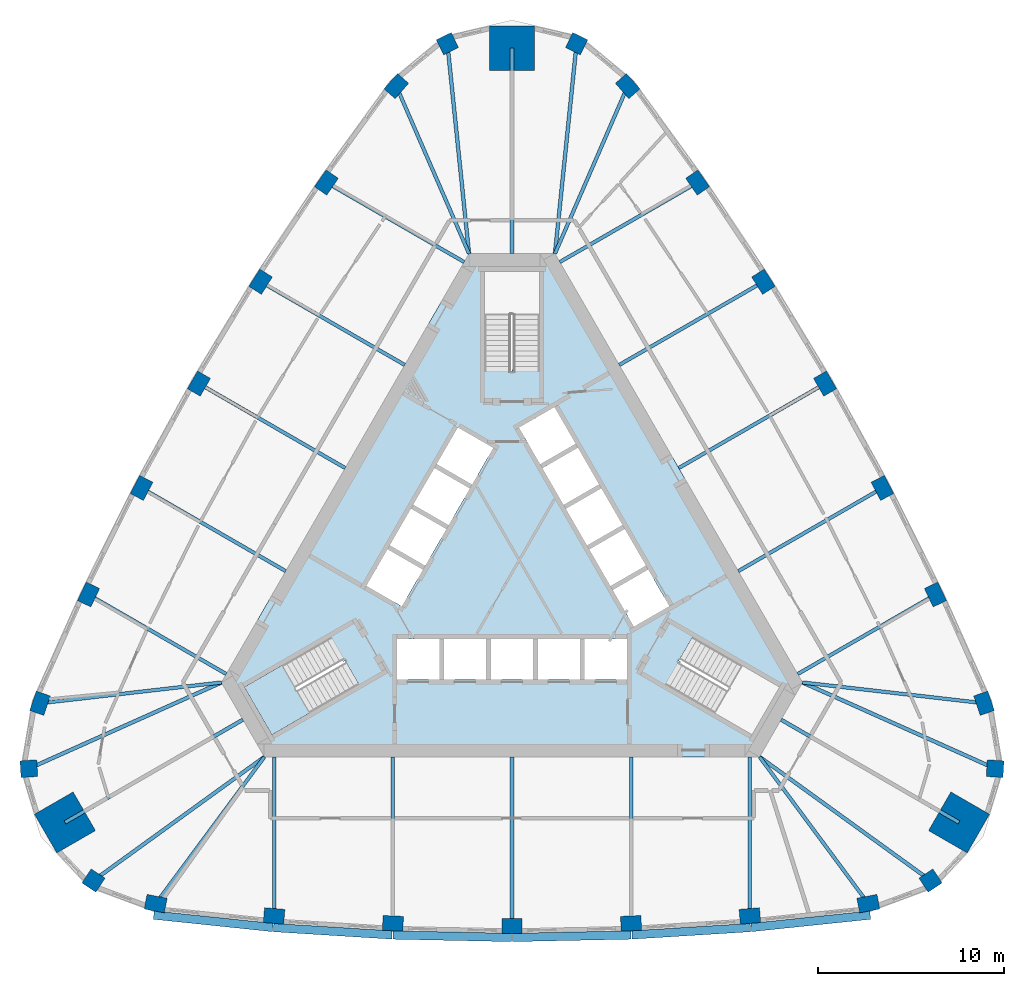
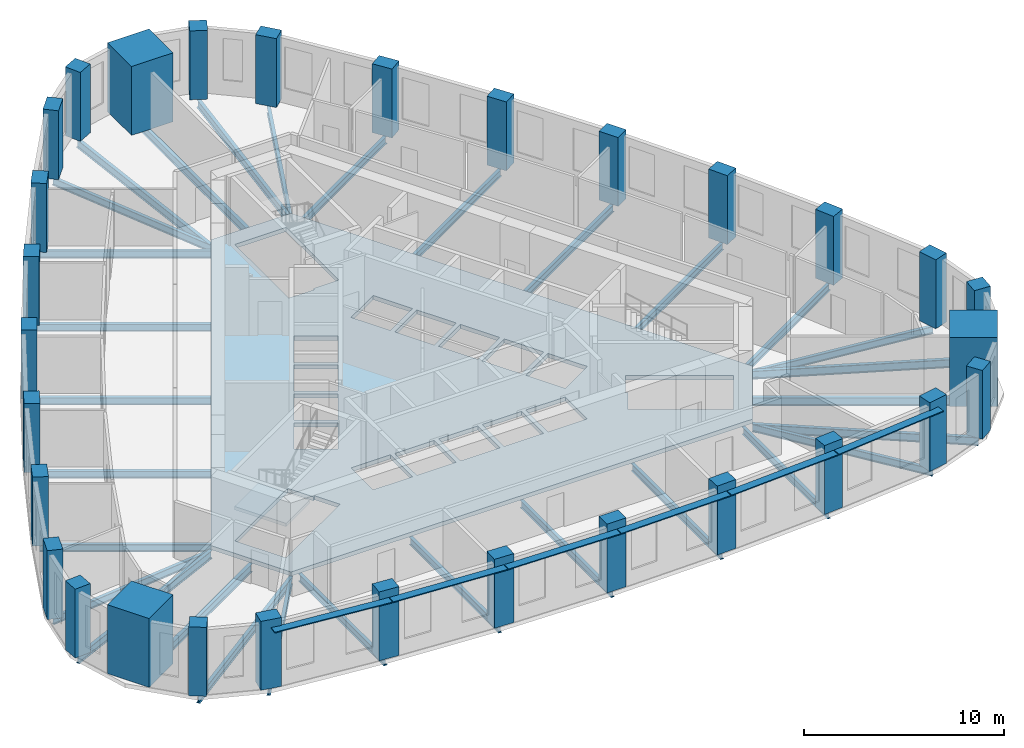
# One storey, part 1 of 11: 30 beams, 30 columns, 6 members, 2 slabs, 1 element without a shape of its own.
"""IFC4 building model written with IfcOpenShell, lengths in metres."""

from ifc_helpers import new_model, si_unit, direction, frame, origin, origin_2d, place, context, subcontext, project, spatial, polyline, rectangle, i_section, outline, extrude, material, layer, layer_set, material_profile, profile_set, type_object, element, aggregate, save


model = new_model("IFC4")

# Units and contexts
model_context = context("Model", 3, precision=1e-05, world=origin(), true_north=direction((0.0, 1.0)))
body_context = subcontext(model_context, "Body", "Model", "MODEL_VIEW")
ifc_project = project(units=[si_unit("LENGTHUNIT", "METRE"), si_unit("AREAUNIT", "SQUARE_METRE"), si_unit("VOLUMEUNIT", "CUBIC_METRE"), si_unit("PLANEANGLEUNIT", "RADIAN"), si_unit("MASSUNIT", "GRAM", prefix="KILO")], contexts=[model_context])

# Site, building, storey
site_placement = place(None, origin())
site = spatial("IfcSite", under=ifc_project, at=site_placement, CompositionType="ELEMENT")
building_placement = place(site_placement, origin())
building = spatial("IfcBuilding", under=site, at=building_placement, Name="Mestral Congress Tower", CompositionType="ELEMENT")
storey_placement = place(building_placement, frame((0.0, 0.0, 201.60009765625)))
storey = spatial("IfcBuildingStorey", under=building, at=storey_placement, Name="L47", CompositionType="ELEMENT", Elevation=201.60009765625)

# Columns
ifc_material_1 = material(Name="Concrete C60/75", Category="concrete")
ifc_material_profile_1 = material_profile(ifc_material_1, rectangle(XDim=1.10009765625, YDim=0.800048828125, at=origin_2d()), Name="RC 1100x800")
ifc_profile_set_1 = profile_set([ifc_material_profile_1], Name="Concrete C60/75")
column_type_1 = type_object("IfcColumnType", Name="Column RC 1100x800 C60/75", PredefinedType="COLUMN", material=ifc_profile_set_1)
for number, where, z_axis, x_axis, name in (
    (1, (-19.150390625, -18.23681640625, 0.0), (0.0, 0.0, 1.0), (0.981324571854, -0.192359259395, 0.0), "COL-L47-C4-S00"),
    (2, (-12.785400390625, -18.899658203125, 0.0), (0.0, 0.0, 1.0), (0.996556680667, -0.082914306473, 0.0), "COL-L47-C4-S01"),
    (3, (-6.398193359375, -19.2978515625, 0.0), (0.0, 0.0, 1.0), (0.999138835542, -0.041492015025, 0.0), "COL-L47-C4-S02"),
    (4, (0.0, -19.4306640625, 0.0), (0.0, 0.0, 1.0), (1.0, 0.0, 0.0), "COL-L47-C4-S03"),
    (5, (6.398193359375, -19.2978515625, 0.0), (0.0, 0.0, 1.0), (0.999138835542, 0.041492015025, 0.0), "COL-L47-C4-S04"),
    (6, (12.785400390625, -18.899658203125, 0.0), (0.0, 0.0, 1.0), (0.996556680667, 0.082914306473, 0.0), "COL-L47-C4-S05"),
    (7, (19.150390625, -18.23681640625, 0.0), (0.0, 0.0, 1.0), (0.981324571854, 0.192359259395, 0.0), "COL-L47-C4-S06"),
    (8, (25.368896484375, -7.46630859375, 0.0), (0.0, 0.0, 1.0), (-0.324074280638, 0.946031638281, 0.0), "COL-L47-C4-E00"),
    (9, (22.76025390625, -1.62255859375, 0.0), (0.0, 0.0, 1.0), (-0.426472444591, 0.904500555005, 0.0), "COL-L47-C4-E01"),
    (10, (19.91162109375, 4.10791015625, 0.0), (0.0, 0.0, 1.0), (-0.463636278705, 0.886025621, 0.0), "COL-L47-C4-E02"),
    (11, (16.827392578125, 9.71533203125, 0.0), (0.0, 0.0, 1.0), (-0.5, 0.866025403784, 0.0), "COL-L47-C4-E03"),
    (12, (13.51318359375, 15.18994140625, 0.0), (0.0, 0.0, 1.0), (-0.535502556837, 0.844533605975, 0.0), "COL-L47-C4-E04"),
    (13, (9.974853515625, 20.522216796875, 0.0), (0.0, 0.0, 1.0), (-0.570084236076, 0.821586248532, 0.0), "COL-L47-C4-E05"),
    (14, (6.218505859375, 25.703125, 0.0), (0.0, 0.0, 1.0), (-0.657250291216, 0.753672378886, 0.0), "COL-L47-C4-E06"),
    (15, (-6.218505859375, 25.703125, 0.0), (0.0, 0.0, 1.0), (-0.657250291216, -0.753672378886, 0.0), "COL-L47-C4-W00"),
    (16, (-9.974853515625, 20.522216796875, 0.0), (0.0, 0.0, 1.0), (-0.570084236076, -0.821586248532, 0.0), "COL-L47-C4-W01"),
    (17, (-13.51318359375, 15.18994140625, 0.0), (0.0, 0.0, 1.0), (-0.535502556837, -0.844533605975, 0.0), "COL-L47-C4-W02"),
    (18, (-16.827392578125, 9.71533203125, 0.0), (0.0, 0.0, 1.0), (-0.5, -0.866025403784, 0.0), "COL-L47-C4-W03"),
    (19, (-19.91162109375, 4.10791015625, 0.0), (0.0, 0.0, 1.0), (-0.463636278705, -0.886025621, 0.0), "COL-L47-C4-W04"),
    (20, (-22.76025390625, -1.62255859375, 0.0), (0.0, 0.0, 1.0), (-0.426472444591, -0.904500555005, 0.0), "COL-L47-C4-W05"),
    (21, (-25.368896484375, -7.46630859375, 0.0), (0.0, 0.0, 1.0), (-0.324074280638, -0.946031638281, 0.0), "COL-L47-C4-W06"),
):
    element("IfcColumn", number, at=place(storey_placement, frame(where, z_axis=z_axis, x_axis=x_axis)), inside=storey, type_object=column_type_1, Name=name, PredefinedType="COLUMN", context=body_context, shape_type="SweptSolid", body=[
        extrude(rectangle(XDim=1.10009765625, YDim=0.800048828125, at=origin_2d()), origin(), (0.0, 0.0, 1.0), 4.199951171875),
    ])
ifc_material_profile_2 = material_profile(ifc_material_1, rectangle(XDim=0.89990234375, YDim=0.89990234375, at=origin_2d()), Name="RC 900x900")
ifc_profile_set_2 = profile_set([ifc_material_profile_2], Name="Concrete C60/75")
column_type_2 = type_object("IfcColumnType", Name="Column RC 900x900 C60/75", PredefinedType="COLUMN", material=ifc_profile_set_2)
for number, where, z_axis, x_axis, name in (
    (22, (22.494384765625, -16.99658203125, 0.0), (0.0, 0.0, 1.0), (0.833238868178, 0.552913183563, 0.0), "COL-L47-C4-SE1"),
    (23, (25.966552734375, -10.982421875, 0.0), (0.0, 0.0, 1.0), (0.062217428964, 0.998062619044, 0.0), "COL-L47-C4-SE3"),
    (24, (3.47216796875, 27.97900390625, 0.0), (0.0, 0.0, 1.0), (-0.895456297142, 0.445149435481, 0.0), "COL-L47-C4-N1"),
    (25, (-3.47216796875, 27.97900390625, 0.0), (0.0, 0.0, 1.0), (-0.895456297142, -0.445149435481, 0.0), "COL-L47-C4-N3"),
    (26, (-25.966552734375, -10.982421875, 0.0), (0.0, 0.0, 1.0), (0.062217428964, -0.998062619044, 0.0), "COL-L47-C4-SW1"),
    (27, (-22.494384765625, -16.99658203125, 0.0), (0.0, 0.0, 1.0), (0.833238868178, -0.552913183563, 0.0), "COL-L47-C4-SW3"),
):
    element("IfcColumn", number, at=place(storey_placement, frame(where, z_axis=z_axis, x_axis=x_axis)), inside=storey, type_object=column_type_2, Name=name, PredefinedType="COLUMN", context=body_context, shape_type="SweptSolid", body=[
        extrude(rectangle(XDim=0.89990234375, YDim=0.89990234375, at=origin_2d()), origin(), (0.0, 0.0, 1.0), 4.199951171875),
    ])
ifc_material_2 = material(Name="Concrete C70/85", Category="concrete")
ifc_material_profile_3 = material_profile(ifc_material_2, rectangle(XDim=2.39990234375, YDim=2.39990234375, at=origin_2d()), Name="RC 2400x2400")
ifc_profile_set_3 = profile_set([ifc_material_profile_3], Name="Concrete C70/85")
column_type_3 = type_object("IfcColumnType", Name="Mega column RC 2400x2400 C70/85", PredefinedType="COLUMN", material=ifc_profile_set_3)
for number, where, z_axis, x_axis, name in (
    (28, (24.02734375, -13.872314453125, 0.0), (0.0, 0.0, 1.0), (0.866025403784, -0.5, 0.0), "COL-L47-PY4-SE"),
    (29, (0.0, 27.744384765625, 0.0), (0.0, 0.0, 1.0), (0.0, 1.0, 0.0), "COL-L47-PY4-N"),
    (30, (-24.02734375, -13.872314453125, 0.0), (0.0, 0.0, 1.0), (-0.866025403784, -0.5, 0.0), "COL-L47-PY4-SW"),
):
    element("IfcColumn", number, at=place(storey_placement, frame(where, z_axis=z_axis, x_axis=x_axis)), inside=storey, type_object=column_type_3, Name=name, PredefinedType="COLUMN", context=body_context, shape_type="SweptSolid", body=[
        extrude(rectangle(XDim=2.39990234375, YDim=2.39990234375, at=origin_2d()), origin(), (0.0, 0.0, 1.0), 4.199951171875),
    ])

# Members
ifc_material_3 = material(Name="Glazed ceramic", Category="masonry")
ifc_material_profile_4 = material_profile(ifc_material_3, rectangle(XDim=0.449951171875, YDim=0.06005859375, at=origin_2d()), Name="Ceramic blade 450 x 60")
ifc_profile_set_4 = profile_set([ifc_material_profile_4], Name="Glazed ceramic")
member_type = type_object("IfcMemberType", Name="Facade sunshade blade 450 x 60", PredefinedType="USERDEFINED", material=ifc_profile_set_4)
member_1_placement = place(storey_placement, frame((-19.251708984375, -18.8544921875, 3.679931640625), z_axis=(0.994617919471, -0.103610782581, 0.0), x_axis=(0.103610782581, 0.994617919471, 0.0)))
element("IfcMember", 31, at=member_1_placement, inside=storey, type_object=member_type, Name="Sunshade F0-00", ObjectType="SUNSHADE", PredefinedType="USERDEFINED", context=body_context, shape_type="SweptSolid", body=[
    extrude(rectangle(XDim=0.449951171875, YDim=0.06005859375, at=origin_2d()), origin(), (0.0, 0.0, 1.0), 6.42578125),
])
member_2_placement = place(storey_placement, frame((-12.8134765625, -19.524169921875, 3.679931640625), z_axis=(0.99806373271, -0.062199561482, 0.0), x_axis=(0.062199561482, 0.99806373271, 0.0)))
element("IfcMember", 32, at=member_2_placement, inside=storey, type_object=member_type, Name="Sunshade F0-01", ObjectType="SUNSHADE", PredefinedType="USERDEFINED", context=body_context, shape_type="SweptSolid", body=[
    extrude(rectangle(XDim=0.449951171875, YDim=0.06005859375, at=origin_2d()), origin(), (0.0, 0.0, 1.0), 6.37841796875),
])
for number, where, z_axis, x_axis, name in (
    (33, (-6.400390625, -19.9228515625, 3.679931640625), (0.99978476383, -0.0207467109, 0.0), (0.0207467109, 0.99978476383, 0.0), "Sunshade F0-02"),
    (34, (0.023681640625, -20.05517578125, 3.679931640625), (0.99978476383, 0.0207467109, 0.0), (-0.0207467109, 0.99978476383, 0.0), "Sunshade F0-03"),
):
    element("IfcMember", number, at=place(storey_placement, frame(where, z_axis=z_axis, x_axis=x_axis)), inside=storey, type_object=member_type, Name=name, ObjectType="SUNSHADE", PredefinedType="USERDEFINED", context=body_context, shape_type="SweptSolid", body=[
        extrude(rectangle(XDim=0.449951171875, YDim=0.06005859375, at=origin_2d()), origin(), (0.0, 0.0, 1.0), 6.378173828125),
    ])
member_3_placement = place(storey_placement, frame((6.447509765625, -19.9208984375, 3.679931640625), z_axis=(0.99806373271, 0.062199561482, 0.0), x_axis=(-0.062199561482, 0.99806373271, 0.0)))
element("IfcMember", 35, at=member_3_placement, inside=storey, type_object=member_type, Name="Sunshade F0-04", ObjectType="SUNSHADE", PredefinedType="USERDEFINED", context=body_context, shape_type="SweptSolid", body=[
    extrude(rectangle(XDim=0.449951171875, YDim=0.06005859375, at=origin_2d()), origin(), (0.0, 0.0, 1.0), 6.37841796875),
])
member_4_placement = place(storey_placement, frame((12.860595703125, -19.520263671875, 3.679931640625), z_axis=(0.994617919471, 0.103610782581, 0.0), x_axis=(-0.103610782581, 0.994617919471, 0.0)))
element("IfcMember", 36, at=member_4_placement, inside=storey, type_object=member_type, Name="Sunshade F0-05", ObjectType="SUNSHADE", PredefinedType="USERDEFINED", context=body_context, shape_type="SweptSolid", body=[
    extrude(rectangle(XDim=0.449951171875, YDim=0.06005859375, at=origin_2d()), origin(), (0.0, 0.0, 1.0), 6.42578125),
])

# Beams
ifc_material_4 = material(Name="Steel S355", Category="steel")
ifc_material_profile_5 = material_profile(ifc_material_4, i_section(OverallWidth=0.18994140625, OverallDepth=0.449951171875, WebThickness=0.009521484375, FlangeThickness=0.0146484375, FilletRadius=0.02099609375, at=origin_2d()), Name="IPE 450")
ifc_profile_set_5 = profile_set([ifc_material_profile_5], Name="Steel S355")
beam_type_1 = type_object("IfcBeamType", Name="Floor beam IPE 450 S355", PredefinedType="BEAM", material=ifc_profile_set_5)
beam_1_placement = place(storey_placement, frame((-19.150390625, -18.23681640625, -0.47509765625), z_axis=(0.59526145727, 0.803532076204, 0.0), x_axis=(-0.803532076204, 0.59526145727, 0.0)))
element("IfcBeam", 37, at=beam_1_placement, inside=storey, type_object=beam_type_1, Name="BM-L47-RB4-S00", PredefinedType="BEAM", context=body_context, shape_type="SweptSolid", body=[
    extrude(i_section(OverallWidth=0.18994140625, OverallDepth=0.449951171875, WebThickness=0.009521484375, FlangeThickness=0.0146484375, FilletRadius=0.02099609375, at=origin_2d()), origin(), (0.0, 0.0, 1.0), 9.815185546875),
])
beam_2_placement = place(storey_placement, frame((-12.785400390625, -18.899658203125, -0.47509765625), z_axis=(0.0, 1.0, 0.0), x_axis=(-1.0, 0.0, 0.0)))
element("IfcBeam", 38, at=beam_2_placement, inside=storey, type_object=beam_type_1, Name="BM-L47-RB4-S01", PredefinedType="BEAM", context=body_context, shape_type="SweptSolid", body=[
    extrude(i_section(OverallWidth=0.18994140625, OverallDepth=0.449951171875, WebThickness=0.009521484375, FlangeThickness=0.0146484375, FilletRadius=0.02099609375, at=origin_2d()), origin(), (0.0, 0.0, 1.0), 8.549560546875),
])
beam_3_placement = place(storey_placement, frame((-6.398193359375, -19.2978515625, -0.47509765625), z_axis=(0.0, 1.0, 0.0), x_axis=(-1.0, 0.0, 0.0)))
element("IfcBeam", 39, at=beam_3_placement, inside=storey, type_object=beam_type_1, Name="BM-L47-RB4-S02", PredefinedType="BEAM", context=body_context, shape_type="SweptSolid", body=[
    extrude(i_section(OverallWidth=0.18994140625, OverallDepth=0.449951171875, WebThickness=0.009521484375, FlangeThickness=0.0146484375, FilletRadius=0.02099609375, at=origin_2d()), origin(), (0.0, 0.0, 1.0), 8.94775390625),
])
beam_4_placement = place(storey_placement, frame((0.0, -19.4306640625, -0.47509765625), z_axis=(0.0, 1.0, 0.0), x_axis=(-1.0, 0.0, 0.0)))
element("IfcBeam", 40, at=beam_4_placement, inside=storey, type_object=beam_type_1, Name="BM-L47-RB4-S03", PredefinedType="BEAM", context=body_context, shape_type="SweptSolid", body=[
    extrude(i_section(OverallWidth=0.18994140625, OverallDepth=0.449951171875, WebThickness=0.009521484375, FlangeThickness=0.0146484375, FilletRadius=0.02099609375, at=origin_2d()), origin(), (0.0, 0.0, 1.0), 9.08056640625),
])
beam_5_placement = place(storey_placement, frame((6.398193359375, -19.2978515625, -0.47509765625), z_axis=(0.0, 1.0, 0.0), x_axis=(-1.0, 0.0, 0.0)))
element("IfcBeam", 41, at=beam_5_placement, inside=storey, type_object=beam_type_1, Name="BM-L47-RB4-S04", PredefinedType="BEAM", context=body_context, shape_type="SweptSolid", body=[
    extrude(i_section(OverallWidth=0.18994140625, OverallDepth=0.449951171875, WebThickness=0.009521484375, FlangeThickness=0.0146484375, FilletRadius=0.02099609375, at=origin_2d()), origin(), (0.0, 0.0, 1.0), 8.94775390625),
])
beam_6_placement = place(storey_placement, frame((12.785400390625, -18.899658203125, -0.47509765625), z_axis=(0.0, 1.0, 0.0), x_axis=(-1.0, 0.0, 0.0)))
element("IfcBeam", 42, at=beam_6_placement, inside=storey, type_object=beam_type_1, Name="BM-L47-RB4-S05", PredefinedType="BEAM", context=body_context, shape_type="SweptSolid", body=[
    extrude(i_section(OverallWidth=0.18994140625, OverallDepth=0.449951171875, WebThickness=0.009521484375, FlangeThickness=0.0146484375, FilletRadius=0.02099609375, at=origin_2d()), origin(), (0.0, 0.0, 1.0), 8.549560546875),
])
beam_7_placement = place(storey_placement, frame((19.150390625, -18.23681640625, -0.47509765625), z_axis=(-0.59526145727, 0.803532076204, 0.0), x_axis=(-0.803532076204, -0.59526145727, 0.0)))
element("IfcBeam", 43, at=beam_7_placement, inside=storey, type_object=beam_type_1, Name="BM-L47-RB4-S06", PredefinedType="BEAM", context=body_context, shape_type="SweptSolid", body=[
    extrude(i_section(OverallWidth=0.18994140625, OverallDepth=0.449951171875, WebThickness=0.009521484375, FlangeThickness=0.0146484375, FilletRadius=0.02099609375, at=origin_2d()), origin(), (0.0, 0.0, 1.0), 9.815185546875),
])
beam_8_placement = place(storey_placement, frame((25.368896484375, -7.46630859375, -0.47509765625), z_axis=(-0.993512774848, 0.113720561966, 0.0), x_axis=(-0.113720561966, -0.993512774848, 0.0)))
element("IfcBeam", 44, at=beam_8_placement, inside=storey, type_object=beam_type_1, Name="BM-L47-RB4-E00", PredefinedType="BEAM", context=body_context, shape_type="SweptSolid", body=[
    extrude(i_section(OverallWidth=0.18994140625, OverallDepth=0.449951171875, WebThickness=0.009521484375, FlangeThickness=0.0146484375, FilletRadius=0.02099609375, at=origin_2d()), origin(), (0.0, 0.0, 1.0), 9.8154296875),
])
beam_9_placement = place(storey_placement, frame((22.76025390625, -1.62255859375, -0.47509765625), z_axis=(-0.866023907196, -0.500002592159, 0.0), x_axis=(0.500002592159, -0.866023907196, 0.0)))
element("IfcBeam", 45, at=beam_9_placement, inside=storey, type_object=beam_type_1, Name="BM-L47-RB4-E01", PredefinedType="BEAM", context=body_context, shape_type="SweptSolid", body=[
    extrude(i_section(OverallWidth=0.18994140625, OverallDepth=0.449951171875, WebThickness=0.009521484375, FlangeThickness=0.0146484375, FilletRadius=0.02099609375, at=origin_2d()), origin(), (0.0, 0.0, 1.0), 8.5498046875),
])
beam_10_placement = place(storey_placement, frame((19.91162109375, 4.10791015625, -0.47509765625), z_axis=(-0.866033377201, -0.499986189383, 0.0), x_axis=(0.499986189383, -0.866033377201, 0.0)))
element("IfcBeam", 46, at=beam_10_placement, inside=storey, type_object=beam_type_1, Name="BM-L47-RB4-E02", PredefinedType="BEAM", context=body_context, shape_type="SweptSolid", body=[
    extrude(i_section(OverallWidth=0.18994140625, OverallDepth=0.449951171875, WebThickness=0.009521484375, FlangeThickness=0.0146484375, FilletRadius=0.02099609375, at=origin_2d()), origin(), (0.0, 0.0, 1.0), 8.947998046875),
])
beam_11_placement = place(storey_placement, frame((16.827392578125, 9.71533203125, -0.47509765625), z_axis=(-0.866025747466, -0.499999404726, 0.0), x_axis=(0.499999404726, -0.866025747466, 0.0)))
element("IfcBeam", 47, at=beam_11_placement, inside=storey, type_object=beam_type_1, Name="BM-L47-RB4-E03", PredefinedType="BEAM", context=body_context, shape_type="SweptSolid", body=[
    extrude(i_section(OverallWidth=0.18994140625, OverallDepth=0.449951171875, WebThickness=0.009521484375, FlangeThickness=0.0146484375, FilletRadius=0.02099609375, at=origin_2d()), origin(), (0.0, 0.0, 1.0), 9.08056640625),
])
beam_12_placement = place(storey_placement, frame((13.51318359375, 15.18994140625, -0.47509765625), z_axis=(-0.866026556242, -0.49999800388, 0.0), x_axis=(0.49999800388, -0.866026556242, 0.0)))
element("IfcBeam", 48, at=beam_12_placement, inside=storey, type_object=beam_type_1, Name="BM-L47-RB4-E04", PredefinedType="BEAM", context=body_context, shape_type="SweptSolid", body=[
    extrude(i_section(OverallWidth=0.18994140625, OverallDepth=0.449951171875, WebThickness=0.009521484375, FlangeThickness=0.0146484375, FilletRadius=0.02099609375, at=origin_2d()), origin(), (0.0, 0.0, 1.0), 8.94775390625),
])
beam_13_placement = place(storey_placement, frame((9.974853515625, 20.522216796875, -0.47509765625), z_axis=(-0.866016768042, -0.500014957246, 0.0), x_axis=(0.500014957246, -0.866016768042, 0.0)))
element("IfcBeam", 49, at=beam_13_placement, inside=storey, type_object=beam_type_1, Name="BM-L47-RB4-E05", PredefinedType="BEAM", context=body_context, shape_type="SweptSolid", body=[
    extrude(i_section(OverallWidth=0.18994140625, OverallDepth=0.449951171875, WebThickness=0.009521484375, FlangeThickness=0.0146484375, FilletRadius=0.02099609375, at=origin_2d()), origin(), (0.0, 0.0, 1.0), 8.549560546875),
])
for number, where, z_axis, x_axis, name in (
    (50, (6.218505859375, 25.703125, -0.47509765625), (-0.398276756213, -0.917265297207, 0.0), (0.917265297207, -0.398276756213, 0.0), "BM-L47-RB4-E06"),
    (51, (-6.218505859375, 25.703125, -0.47509765625), (0.398276756213, -0.917265297207, 0.0), (0.917265297207, 0.398276756213, 0.0), "BM-L47-RB4-W00"),
):
    element("IfcBeam", number, at=place(storey_placement, frame(where, z_axis=z_axis, x_axis=x_axis)), inside=storey, type_object=beam_type_1, Name=name, PredefinedType="BEAM", context=body_context, shape_type="SweptSolid", body=[
        extrude(i_section(OverallWidth=0.18994140625, OverallDepth=0.449951171875, WebThickness=0.009521484375, FlangeThickness=0.0146484375, FilletRadius=0.02099609375, at=origin_2d()), origin(), (0.0, 0.0, 1.0), 9.815185546875),
    ])
beam_14_placement = place(storey_placement, frame((-9.974853515625, 20.522216796875, -0.47509765625), z_axis=(0.866016768042, -0.500014957246, 0.0), x_axis=(0.500014957246, 0.866016768042, 0.0)))
element("IfcBeam", 52, at=beam_14_placement, inside=storey, type_object=beam_type_1, Name="BM-L47-RB4-W01", PredefinedType="BEAM", context=body_context, shape_type="SweptSolid", body=[
    extrude(i_section(OverallWidth=0.18994140625, OverallDepth=0.449951171875, WebThickness=0.009521484375, FlangeThickness=0.0146484375, FilletRadius=0.02099609375, at=origin_2d()), origin(), (0.0, 0.0, 1.0), 8.549560546875),
])
beam_15_placement = place(storey_placement, frame((-13.51318359375, 15.18994140625, -0.47509765625), z_axis=(0.866026556242, -0.49999800388, 0.0), x_axis=(0.49999800388, 0.866026556242, 0.0)))
element("IfcBeam", 53, at=beam_15_placement, inside=storey, type_object=beam_type_1, Name="BM-L47-RB4-W02", PredefinedType="BEAM", context=body_context, shape_type="SweptSolid", body=[
    extrude(i_section(OverallWidth=0.18994140625, OverallDepth=0.449951171875, WebThickness=0.009521484375, FlangeThickness=0.0146484375, FilletRadius=0.02099609375, at=origin_2d()), origin(), (0.0, 0.0, 1.0), 8.94775390625),
])
beam_16_placement = place(storey_placement, frame((-16.827392578125, 9.71533203125, -0.47509765625), z_axis=(0.866025747466, -0.499999404726, 0.0), x_axis=(0.499999404726, 0.866025747466, 0.0)))
element("IfcBeam", 54, at=beam_16_placement, inside=storey, type_object=beam_type_1, Name="BM-L47-RB4-W03", PredefinedType="BEAM", context=body_context, shape_type="SweptSolid", body=[
    extrude(i_section(OverallWidth=0.18994140625, OverallDepth=0.449951171875, WebThickness=0.009521484375, FlangeThickness=0.0146484375, FilletRadius=0.02099609375, at=origin_2d()), origin(), (0.0, 0.0, 1.0), 9.08056640625),
])
beam_17_placement = place(storey_placement, frame((-19.91162109375, 4.10791015625, -0.47509765625), z_axis=(0.866033377201, -0.499986189383, 0.0), x_axis=(0.499986189383, 0.866033377201, 0.0)))
element("IfcBeam", 55, at=beam_17_placement, inside=storey, type_object=beam_type_1, Name="BM-L47-RB4-W04", PredefinedType="BEAM", context=body_context, shape_type="SweptSolid", body=[
    extrude(i_section(OverallWidth=0.18994140625, OverallDepth=0.449951171875, WebThickness=0.009521484375, FlangeThickness=0.0146484375, FilletRadius=0.02099609375, at=origin_2d()), origin(), (0.0, 0.0, 1.0), 8.947998046875),
])
beam_18_placement = place(storey_placement, frame((-22.76025390625, -1.62255859375, -0.47509765625), z_axis=(0.866023907196, -0.500002592159, 0.0), x_axis=(0.500002592159, 0.866023907196, 0.0)))
element("IfcBeam", 56, at=beam_18_placement, inside=storey, type_object=beam_type_1, Name="BM-L47-RB4-W05", PredefinedType="BEAM", context=body_context, shape_type="SweptSolid", body=[
    extrude(i_section(OverallWidth=0.18994140625, OverallDepth=0.449951171875, WebThickness=0.009521484375, FlangeThickness=0.0146484375, FilletRadius=0.02099609375, at=origin_2d()), origin(), (0.0, 0.0, 1.0), 8.5498046875),
])
beam_19_placement = place(storey_placement, frame((-25.368896484375, -7.46630859375, -0.47509765625), z_axis=(0.993512774848, 0.113720561966, 0.0), x_axis=(-0.113720561966, 0.993512774848, 0.0)))
element("IfcBeam", 57, at=beam_19_placement, inside=storey, type_object=beam_type_1, Name="BM-L47-RB4-W06", PredefinedType="BEAM", context=body_context, shape_type="SweptSolid", body=[
    extrude(i_section(OverallWidth=0.18994140625, OverallDepth=0.449951171875, WebThickness=0.009521484375, FlangeThickness=0.0146484375, FilletRadius=0.02099609375, at=origin_2d()), origin(), (0.0, 0.0, 1.0), 9.8154296875),
])
ifc_material_profile_6 = material_profile(ifc_material_4, i_section(OverallWidth=0.199951171875, OverallDepth=0.5, WebThickness=0.01025390625, FlangeThickness=0.01611328125, FilletRadius=0.02099609375, at=origin_2d()), Name="IPE 500")
ifc_profile_set_6 = profile_set([ifc_material_profile_6], Name="Steel S355")
beam_type_2 = type_object("IfcBeamType", Name="Floor beam IPE 500 S355", PredefinedType="BEAM", material=ifc_profile_set_6)
beam_20_placement = place(storey_placement, frame((22.494384765625, -16.99658203125, -0.5), z_axis=(-0.810186119518, 0.58617271494, 0.0), x_axis=(-0.58617271494, -0.810186119518, 0.0)))
element("IfcBeam", 58, at=beam_20_placement, inside=storey, type_object=beam_type_2, Name="BM-L47-RB4-SE1", PredefinedType="BEAM", context=body_context, shape_type="SweptSolid", body=[
    extrude(i_section(OverallWidth=0.199951171875, OverallDepth=0.5, WebThickness=0.01025390625, FlangeThickness=0.01611328125, FilletRadius=0.02099609375, at=origin_2d()), origin(), (0.0, 0.0, 1.0), 11.3388671875),
])
beam_21_placement = place(storey_placement, frame((24.02734375, -13.872314453125, -0.5), z_axis=(-0.866014410301, 0.500019040789, 0.0), x_axis=(-0.500019040789, -0.866014410301, 0.0)))
element("IfcBeam", 59, at=beam_21_placement, inside=storey, type_object=beam_type_2, Name="BM-L47-RB4-SE", PredefinedType="BEAM", context=body_context, shape_type="SweptSolid", body=[
    extrude(i_section(OverallWidth=0.199951171875, OverallDepth=0.5, WebThickness=0.01025390625, FlangeThickness=0.01611328125, FilletRadius=0.02099609375, at=origin_2d()), origin(), (0.0, 0.0, 1.0), 11.04443359375),
])
for number, where, z_axis, x_axis, name in (
    (60, (25.966552734375, -10.982421875, -0.5), (-0.912741142231, 0.4085383792, 0.0), (-0.4085383792, -0.912741142231, 0.0), "BM-L47-RB4-SE3"),
    (61, (3.47216796875, 27.97900390625, -0.5), (-0.102553883144, -0.994727450638, 0.0), (0.994727450638, -0.102553883144, 0.0), "BM-L47-RB4-N1"),
):
    element("IfcBeam", number, at=place(storey_placement, frame(where, z_axis=z_axis, x_axis=x_axis)), inside=storey, type_object=beam_type_2, Name=name, PredefinedType="BEAM", context=body_context, shape_type="SweptSolid", body=[
        extrude(i_section(OverallWidth=0.199951171875, OverallDepth=0.5, WebThickness=0.01025390625, FlangeThickness=0.01611328125, FilletRadius=0.02099609375, at=origin_2d()), origin(), (0.0, 0.0, 1.0), 11.3388671875),
    ])
beam_22_placement = place(storey_placement, frame((0.0, 27.744384765625, -0.5), z_axis=(0.0, -1.0, 0.0), x_axis=(1.0, 0.0, 0.0)))
element("IfcBeam", 62, at=beam_22_placement, inside=storey, type_object=beam_type_2, Name="BM-L47-RB4-N", PredefinedType="BEAM", context=body_context, shape_type="SweptSolid", body=[
    extrude(i_section(OverallWidth=0.199951171875, OverallDepth=0.5, WebThickness=0.01025390625, FlangeThickness=0.01611328125, FilletRadius=0.02099609375, at=origin_2d()), origin(), (0.0, 0.0, 1.0), 11.04443359375),
])
for number, where, z_axis, x_axis, name in (
    (63, (-3.47216796875, 27.97900390625, -0.5), (0.102553883144, -0.994727450638, 0.0), (0.994727450638, 0.102553883144, 0.0), "BM-L47-RB4-N3"),
    (64, (-25.966552734375, -10.982421875, -0.5), (0.912741142231, 0.4085383792, 0.0), (-0.4085383792, 0.912741142231, 0.0), "BM-L47-RB4-SW1"),
):
    element("IfcBeam", number, at=place(storey_placement, frame(where, z_axis=z_axis, x_axis=x_axis)), inside=storey, type_object=beam_type_2, Name=name, PredefinedType="BEAM", context=body_context, shape_type="SweptSolid", body=[
        extrude(i_section(OverallWidth=0.199951171875, OverallDepth=0.5, WebThickness=0.01025390625, FlangeThickness=0.01611328125, FilletRadius=0.02099609375, at=origin_2d()), origin(), (0.0, 0.0, 1.0), 11.3388671875),
    ])
beam_23_placement = place(storey_placement, frame((-24.02734375, -13.872314453125, -0.5), z_axis=(0.866014410301, 0.500019040789, 0.0), x_axis=(-0.500019040789, 0.866014410301, 0.0)))
element("IfcBeam", 65, at=beam_23_placement, inside=storey, type_object=beam_type_2, Name="BM-L47-RB4-SW", PredefinedType="BEAM", context=body_context, shape_type="SweptSolid", body=[
    extrude(i_section(OverallWidth=0.199951171875, OverallDepth=0.5, WebThickness=0.01025390625, FlangeThickness=0.01611328125, FilletRadius=0.02099609375, at=origin_2d()), origin(), (0.0, 0.0, 1.0), 11.04443359375),
])
beam_24_placement = place(storey_placement, frame((-22.494384765625, -16.99658203125, -0.5), z_axis=(0.810186119518, 0.58617271494, 0.0), x_axis=(-0.58617271494, 0.810186119518, 0.0)))
element("IfcBeam", 66, at=beam_24_placement, inside=storey, type_object=beam_type_2, Name="BM-L47-RB4-SW3", PredefinedType="BEAM", context=body_context, shape_type="SweptSolid", body=[
    extrude(i_section(OverallWidth=0.199951171875, OverallDepth=0.5, WebThickness=0.01025390625, FlangeThickness=0.01611328125, FilletRadius=0.02099609375, at=origin_2d()), origin(), (0.0, 0.0, 1.0), 11.3388671875),
])

# Slab
ifc_layer_1 = layer(ifc_material_1, 0.25)
ifc_layer_set_1 = layer_set([ifc_layer_1], Name="Concrete C60/75")
slab_type_1 = type_object("IfcSlabType", Name="Core floor slab RC 250", PredefinedType="FLOOR", material=ifc_layer_set_1)
slab_1_placement = place(storey_placement, frame((0.0, 0.0, -0.25)))
element("IfcSlab", 67, at=slab_1_placement, inside=storey, type_object=slab_type_1, Name="L47 core floor", PredefinedType="FLOOR", context=body_context, shape_type="SweptSolid", body=[
    extrude(outline(polyline([(13.307861328125, -10.35009765625), (-13.307861328125, -10.35009765625), (-15.6171875, -6.35009765625), (-2.309326171875, 16.699951171875), (2.309326171875, 16.699951171875), (15.6171875, -6.35009765625), (13.307861328125, -10.35009765625)]), holes=[polyline([(-9.8046875, -3.95751953125), (-14.37744140625, -6.59765625), (-12.90234375, -9.15234375), (-8.234619140625, -6.45751953125), (-8.971923828125, -5.179931640625), (-9.0673828125, -5.235107421875), (-9.8046875, -3.95751953125)]), polyline([(-3.905029296875, -4.0), (-6.175048828125, -4.0), (-6.175048828125, -6.199951171875), (-3.905029296875, -6.199951171875), (-3.905029296875, -4.0)]), polyline([(-1.385009765625, -4.0), (-3.655029296875, -4.0), (-3.655029296875, -6.199951171875), (-1.385009765625, -6.199951171875), (-1.385009765625, -4.0)]), polyline([(1.135009765625, -4.0), (-1.135009765625, -4.0), (-1.135009765625, -6.199951171875), (1.135009765625, -6.199951171875), (1.135009765625, -4.0)]), polyline([(-5.921630859375, -2.256591796875), (-4.78662109375, -0.29052734375), (-6.69189453125, 0.809326171875), (-7.826904296875, -1.156494140625), (-5.921630859375, -2.256591796875)]), polyline([(-4.66162109375, -0.07421875), (-3.526611328125, 1.8916015625), (-5.431884765625, 2.99169921875), (-6.56689453125, 1.02587890625), (-4.66162109375, -0.07421875)]), polyline([(-3.401611328125, 2.1083984375), (-2.2666015625, 4.07421875), (-4.171875, 5.174072265625), (-5.306884765625, 3.208251953125), (-3.401611328125, 2.1083984375)]), polyline([(-2.1416015625, 4.29052734375), (-1.006591796875, 6.256591796875), (-2.911865234375, 7.3564453125), (-4.046875, 5.390625), (-2.1416015625, 4.29052734375)]), polyline([(1.47509765625, 10.469970703125), (1.47509765625, 15.75), (-1.47509765625, 15.75), (-1.47509765625, 10.360107421875), (0.0, 10.360107421875), (0.0, 10.469970703125), (1.47509765625, 10.469970703125)]), polyline([(8.329833984375, -6.512451171875), (12.90234375, -9.15234375), (14.37744140625, -6.59765625), (9.70947265625, -3.902587890625), (8.971923828125, -5.179931640625), (9.0673828125, -5.235107421875), (8.329833984375, -6.512451171875)]), polyline([(3.655029296875, -4.0), (1.385009765625, -4.0), (1.385009765625, -6.199951171875), (3.655029296875, -6.199951171875), (3.655029296875, -4.0)]), polyline([(6.175048828125, -4.0), (3.905029296875, -4.0), (3.905029296875, -6.199951171875), (6.175048828125, -6.199951171875), (6.175048828125, -4.0)]), polyline([(5.41650390625, -1.3818359375), (6.551513671875, -3.34765625), (8.456787109375, -2.247802734375), (7.322021484375, -0.28173828125), (5.41650390625, -1.3818359375)]), polyline([(4.156494140625, 0.800537109375), (5.29150390625, -1.165283203125), (7.197021484375, -0.065185546875), (6.06201171875, 1.900634765625), (4.156494140625, 0.800537109375)]), polyline([(2.896484375, 2.98291015625), (4.031494140625, 1.01708984375), (5.93701171875, 2.1171875), (4.802001953125, 4.0830078125), (2.896484375, 2.98291015625)]), polyline([(3.5419921875, 6.265380859375), (1.63671875, 5.165283203125), (2.771484375, 3.199462890625), (4.677001953125, 4.29931640625), (3.5419921875, 6.265380859375)]), polyline([(2.281982421875, 8.44775390625), (0.376708984375, 7.34765625), (1.51171875, 5.3818359375), (3.4169921875, 6.481689453125), (2.281982421875, 8.44775390625)])]), origin(), (0.0, 0.0, 1.0), 0.25),
])

# Stair, slab
stair_type = type_object("IfcStairType", Name="Exit stair 1400", PredefinedType="HALF_TURN_STAIR", material=ifc_material_1)
stair_placement = place(storey_placement, origin())
stair = element("IfcStair", 68, at=stair_placement, inside=storey, type_object=stair_type, Name="L47 ST3", PredefinedType="HALF_TURN_STAIR")
ifc_layer_2 = layer(ifc_material_1, 0.199951171875)
ifc_layer_set_2 = layer_set([ifc_layer_2], Name="Concrete C60/75")
slab_type_2 = type_object("IfcSlabType", Name="Exit stair landing 200", PredefinedType="LANDING", material=ifc_layer_set_2)
slab_2_placement = place(storey_placement, frame((0.0, 0.0, 1.89990234375)))
slab_2 = element("IfcSlab", 69, at=slab_2_placement, type_object=slab_type_2, Name="ST3 landing 1", PredefinedType="LANDING", context=body_context, shape_type="SweptSolid", body=[
    extrude(outline(polyline([(-12.364501953125, -5.424072265625), (-10.879638671875, -7.99609375), (-12.906005859375, -9.166015625), (-14.39111328125, -6.593994140625), (-12.364501953125, -5.424072265625)])), origin(), (0.0, 0.0, 1.0), 0.199951171875),
])
aggregate(stair, [slab_2])

save(model, "model.ifc")
